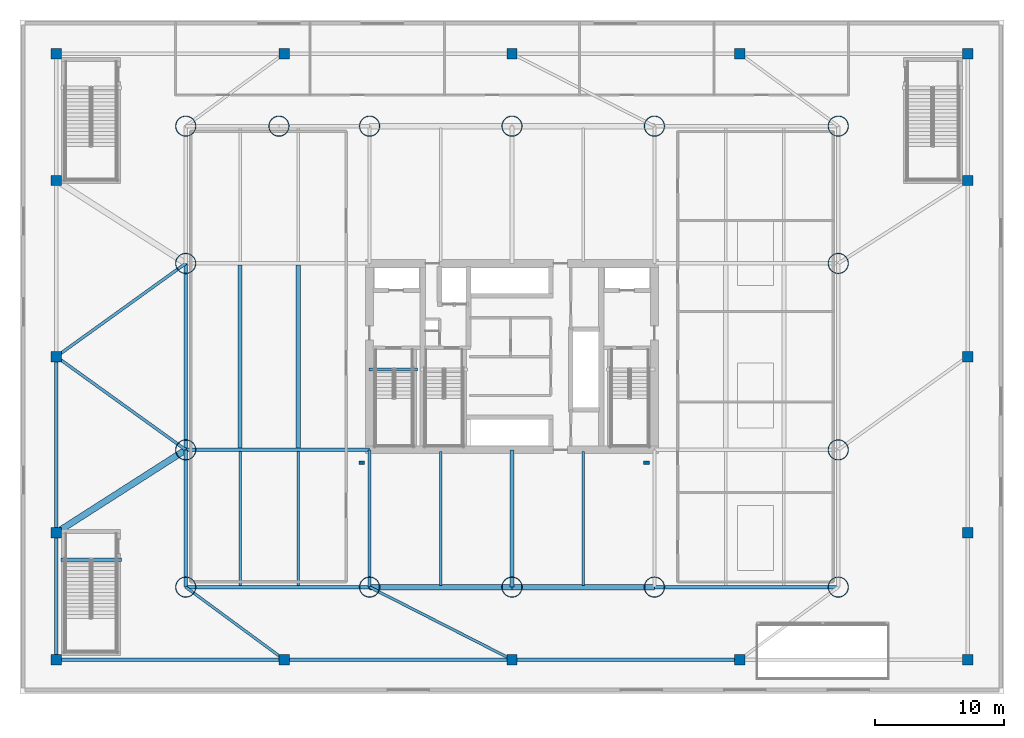
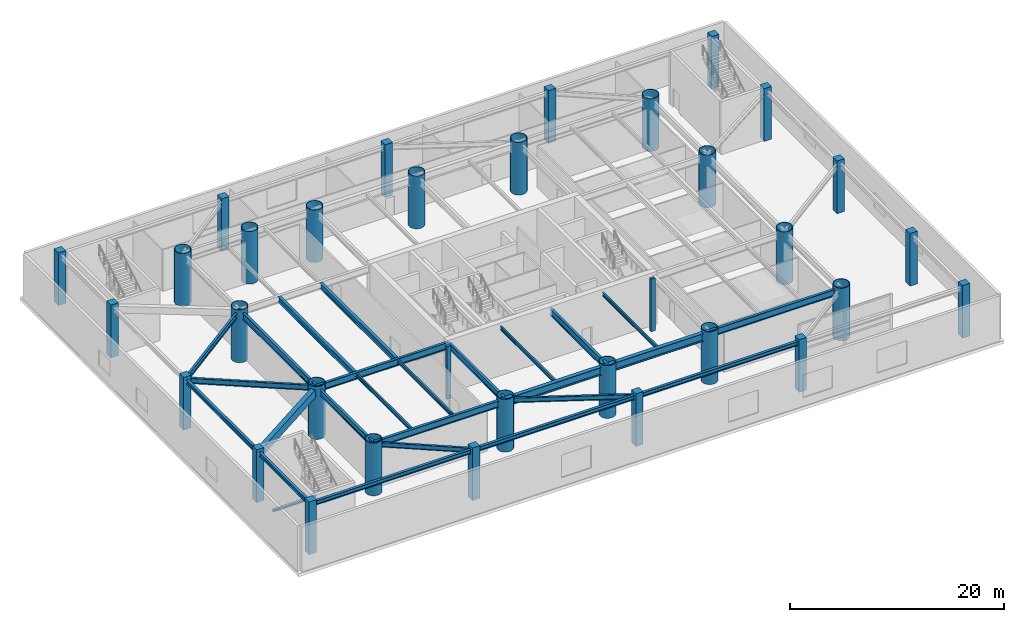
# One storey, part 1 of 17: 33 columns, 27 beams.
"""IFC4 building model written with IfcOpenShell, lengths in metres."""

from ifc_helpers import new_model, si_unit, direction, frame, origin, origin_2d, place, context, subcontext, project, spatial, rectangle, hollow_circle, i_section, extrude, material, material_profile, profile_set, type_object, element, save


model = new_model("IFC4")

# Units and contexts
model_context = context("Model", 3, precision=1e-05, world=origin(), true_north=direction((0.0, 1.0)))
body_context = subcontext(model_context, "Body", "Model", "MODEL_VIEW")
ifc_project = project(units=[si_unit("LENGTHUNIT", "METRE"), si_unit("AREAUNIT", "SQUARE_METRE"), si_unit("VOLUMEUNIT", "CUBIC_METRE"), si_unit("PLANEANGLEUNIT", "RADIAN"), si_unit("MASSUNIT", "GRAM", prefix="KILO")], contexts=[model_context])

# Site, building, storey
site_placement = place(None, origin())
site = spatial("IfcSite", under=ifc_project, at=site_placement, CompositionType="ELEMENT")
building_placement = place(site_placement, origin())
building = spatial("IfcBuilding", under=site, at=building_placement, Name="Bramvorn Convention Spire", CompositionType="ELEMENT")
storey_placement = place(building_placement, frame((0.0, 0.0, 24.0)))
storey = spatial("IfcBuildingStorey", under=building, at=storey_placement, Name="L04", CompositionType="ELEMENT", Elevation=24.0)

# Columns
ifc_material_1 = material(Name="Steel CSA G40.21 Grade 350 (350W)", Category="steel")
ifc_material_profile_1 = material_profile(ifc_material_1, hollow_circle(Radius=0.800048828125, WallThickness=0.06005859375, at=origin_2d()))
ifc_profile_set_1 = profile_set([ifc_material_profile_1], Name="Steel CSA G40.21 Grade 350 (350W) - CFT1600X60")
column_type_1 = type_object("IfcColumnType", Name="COL-CFT1600X60", PredefinedType="COLUMN", material=ifc_profile_set_1)
for number, where, z_axis, x_axis, name in (
    (1, (12.800048828125, 8.199951171875, 0.0), (0.0, 0.0, 1.0), (1.0, 0.0, 0.0), "L04 podium transfer mega-column PR01"),
    (2, (27.0, 8.199951171875, 0.0), (0.0, 0.0, 1.0), (1.0, 0.0, 0.0), "L04 podium transfer mega-column PR02"),
    (3, (38.0, 8.199951171875, 0.0), (0.0, 0.0, 1.0), (1.0, 0.0, 0.0), "L04 podium transfer mega-column PR13"),
    (4, (49.0, 8.199951171875, 0.0), (0.0, 0.0, 1.0), (1.0, 0.0, 0.0), "L04 podium transfer mega-column PR03"),
    (5, (63.199951171875, 8.199951171875, 0.0), (0.0, 0.0, 1.0), (1.0, 0.0, 0.0), "L04 podium transfer mega-column PR04"),
    (6, (12.800048828125, 18.800048828125, 0.0), (0.0, 0.0, 1.0), (1.0, 0.0, 0.0), "L04 podium transfer mega-column PR05"),
    (7, (63.199951171875, 18.800048828125, 0.0), (0.0, 0.0, 1.0), (1.0, 0.0, 0.0), "L04 podium transfer mega-column PR06"),
    (8, (12.800048828125, 33.199951171875, 0.0), (0.0, 0.0, 1.0), (1.0, 0.0, 0.0), "L04 podium transfer mega-column PR07"),
    (9, (63.199951171875, 33.199951171875, 0.0), (0.0, 0.0, 1.0), (1.0, 0.0, 0.0), "L04 podium transfer mega-column PR08"),
    (10, (12.800048828125, 43.800048828125, 0.0), (0.0, 0.0, 1.0), (1.0, 0.0, 0.0), "L04 podium transfer mega-column PR09"),
    (11, (20.0, 43.800048828125, 0.0), (0.0, 0.0, 1.0), (1.0, 0.0, 0.0), "L04 podium transfer mega-column PR15"),
    (12, (27.0, 43.800048828125, 0.0), (0.0, 0.0, 1.0), (1.0, 0.0, 0.0), "L04 podium transfer mega-column PR10"),
    (13, (38.0, 43.800048828125, 0.0), (0.0, 0.0, 1.0), (1.0, 0.0, 0.0), "L04 podium transfer mega-column PR14"),
    (14, (49.0, 43.800048828125, 0.0), (0.0, 0.0, 1.0), (1.0, 0.0, 0.0), "L04 podium transfer mega-column PR11"),
    (15, (63.199951171875, 43.800048828125, 0.0), (0.0, 0.0, 1.0), (1.0, 0.0, 0.0), "L04 podium transfer mega-column PR12"),
):
    element("IfcColumn", number, at=place(storey_placement, frame(where, z_axis=z_axis, x_axis=x_axis)), inside=storey, type_object=column_type_1, Name=name, PredefinedType="COLUMN", context=body_context, shape_type="SweptSolid", body=[
        extrude(hollow_circle(Radius=0.800048828125, WallThickness=0.06005859375, at=origin_2d()), origin(), (0.0, 0.0, 1.0), 6.0),
    ])
ifc_material_2 = material(Name="Concrete C40/50 Precast Limestone Pilaster", Category="masonry")
ifc_material_profile_2 = material_profile(ifc_material_2, rectangle(XDim=0.449951171875, YDim=0.300048828125, at=origin_2d()))
ifc_profile_set_2 = profile_set([ifc_material_profile_2], Name="Concrete C40/50 Precast Limestone Pilaster - PILASTER450X300")
column_type_2 = type_object("IfcColumnType", Name="COL-PILASTER-450", PredefinedType="PILASTER", material=ifc_profile_set_2)
for number, where, z_axis, x_axis, name in (
    (16, (26.39990234375, 17.800048828125, 0.0), (0.0, 0.0, 1.0), (1.0, 0.0, 0.0), "L04 Foyer architectural pilaster 1"),
    (17, (48.39990234375, 17.800048828125, 0.0), (0.0, 0.0, 1.0), (1.0, 0.0, 0.0), "L04 Foyer architectural pilaster 2"),
):
    element("IfcColumn", number, at=place(storey_placement, frame(where, z_axis=z_axis, x_axis=x_axis)), inside=storey, type_object=column_type_2, Name=name, PredefinedType="PILASTER", context=body_context, shape_type="SweptSolid", body=[
        extrude(rectangle(XDim=0.449951171875, YDim=0.300048828125, at=origin_2d()), origin(), (0.0, 0.0, 1.0), 6.0),
    ])
ifc_material_3 = material(Name="Concrete C60/70", Category="concrete")
ifc_material_profile_3 = material_profile(ifc_material_3, rectangle(XDim=0.800048828125, YDim=0.800048828125, at=origin_2d()))
ifc_profile_set_3 = profile_set([ifc_material_profile_3], Name="Concrete C60/70 - RC800X800")
column_type_3 = type_object("IfcColumnType", Name="COL-RC800X800", PredefinedType="COLUMN", material=ifc_profile_set_3)
for number, where, z_axis, x_axis, name in (
    (18, (2.800048828125, 2.60009765625, 0.0), (0.0, 0.0, 1.0), (1.0, 0.0, 0.0), "L04 podium perimeter column PC01"),
    (19, (2.800048828125, 12.39990234375, 0.0), (0.0, 0.0, 1.0), (1.0, 0.0, 0.0), "L04 podium perimeter column PC02"),
    (20, (2.800048828125, 26.0, 0.0), (0.0, 0.0, 1.0), (1.0, 0.0, 0.0), "L04 podium perimeter column PC03"),
    (21, (2.800048828125, 39.60009765625, 0.0), (0.0, 0.0, 1.0), (1.0, 0.0, 0.0), "L04 podium perimeter column PC04"),
    (22, (2.800048828125, 49.39990234375, 0.0), (0.0, 0.0, 1.0), (1.0, 0.0, 0.0), "L04 podium perimeter column PC05"),
    (23, (73.199951171875, 2.60009765625, 0.0), (0.0, 0.0, 1.0), (1.0, 0.0, 0.0), "L04 podium perimeter column PC06"),
    (24, (73.199951171875, 12.39990234375, 0.0), (0.0, 0.0, 1.0), (1.0, 0.0, 0.0), "L04 podium perimeter column PC07"),
    (25, (73.199951171875, 26.0, 0.0), (0.0, 0.0, 1.0), (1.0, 0.0, 0.0), "L04 podium perimeter column PC08"),
    (26, (73.199951171875, 39.60009765625, 0.0), (0.0, 0.0, 1.0), (1.0, 0.0, 0.0), "L04 podium perimeter column PC09"),
    (27, (73.199951171875, 49.39990234375, 0.0), (0.0, 0.0, 1.0), (1.0, 0.0, 0.0), "L04 podium perimeter column PC10"),
    (28, (20.39990234375, 2.60009765625, 0.0), (0.0, 0.0, 1.0), (1.0, 0.0, 0.0), "L04 podium perimeter column PC11"),
    (29, (38.0, 2.60009765625, 0.0), (0.0, 0.0, 1.0), (1.0, 0.0, 0.0), "L04 podium perimeter column PC12"),
    (30, (55.60009765625, 2.60009765625, 0.0), (0.0, 0.0, 1.0), (1.0, 0.0, 0.0), "L04 podium perimeter column PC13"),
    (31, (20.39990234375, 49.39990234375, 0.0), (0.0, 0.0, 1.0), (1.0, 0.0, 0.0), "L04 podium perimeter column PC14"),
    (32, (38.0, 49.39990234375, 0.0), (0.0, 0.0, 1.0), (1.0, 0.0, 0.0), "L04 podium perimeter column PC15"),
    (33, (55.60009765625, 49.39990234375, 0.0), (0.0, 0.0, 1.0), (1.0, 0.0, 0.0), "L04 podium perimeter column PC16"),
):
    element("IfcColumn", number, at=place(storey_placement, frame(where, z_axis=z_axis, x_axis=x_axis)), inside=storey, type_object=column_type_3, Name=name, PredefinedType="COLUMN", context=body_context, shape_type="SweptSolid", body=[
        extrude(rectangle(XDim=0.800048828125, YDim=0.800048828125, at=origin_2d()), origin(), (0.0, 0.0, 1.0), 6.0),
    ])

# Beams
ifc_material_4 = material(Name="Concrete C50/60", Category="concrete")
ifc_material_profile_4 = material_profile(ifc_material_4, rectangle(XDim=0.5, YDim=0.89990234375, at=origin_2d()))
ifc_profile_set_4 = profile_set([ifc_material_profile_4], Name="Concrete C50/60 - RC500X900")
beam_type_1 = type_object("IfcBeamType", Name="BM-RC500X900", PredefinedType="BEAM", material=ifc_profile_set_4)
beam_1_placement = place(storey_placement, frame((2.800048828125, 12.39990234375, 5.199951171875), z_axis=(0.842265798855, 0.539062449145, 0.0), x_axis=(-0.539062449145, 0.842265798855, 0.0)))
element("IfcBeam", 34, at=beam_1_placement, inside=storey, type_object=beam_type_1, Name="L04 reinforced concrete marshalling tie beam 1", PredefinedType="BEAM", context=body_context, shape_type="SweptSolid", body=[
    extrude(rectangle(XDim=0.5, YDim=0.89990234375, at=origin_2d()), origin(), (0.0, 0.0, 1.0), 11.872802734375),
])
ifc_material_profile_5 = material_profile(ifc_material_1, i_section(OverallWidth=0.25390625, OverallDepth=0.2529296875, WebThickness=0.008544921875, FlangeThickness=0.01416015625, FilletRadius=0.011962890625, at=origin_2d()))
ifc_profile_set_5 = profile_set([ifc_material_profile_5], Name="Steel CSA G40.21 Grade 350 (350W) - W250X73")
beam_type_2 = type_object("IfcBeamType", Name="BM-W250X73", PredefinedType="BEAM", material=ifc_profile_set_5)
beam_2_placement = place(storey_placement, frame((26.949951171875, 25.010009765625, -0.12646484375), z_axis=(1.0, 0.0, 0.0), x_axis=(0.0, 1.0, 0.0)))
element("IfcBeam", 35, at=beam_2_placement, inside=storey, type_object=beam_type_2, Name="L04 ST1 stair arrival header beam", PredefinedType="BEAM", context=body_context, shape_type="SweptSolid", body=[
    extrude(i_section(OverallWidth=0.25390625, OverallDepth=0.2529296875, WebThickness=0.008544921875, FlangeThickness=0.01416015625, FilletRadius=0.011962890625, at=origin_2d()), origin(), (0.0, 0.0, 1.0), 3.739990234375),
])
beam_3_placement = place(storey_placement, frame((3.14990234375, 10.31005859375, -0.12646484375), z_axis=(1.0, 0.0, 0.0), x_axis=(0.0, 1.0, 0.0)))
element("IfcBeam", 36, at=beam_3_placement, inside=storey, type_object=beam_type_2, Name="L04 ST4 stair arrival header beam", PredefinedType="BEAM", context=body_context, shape_type="SweptSolid", body=[
    extrude(i_section(OverallWidth=0.25390625, OverallDepth=0.2529296875, WebThickness=0.008544921875, FlangeThickness=0.01416015625, FilletRadius=0.011962890625, at=origin_2d()), origin(), (0.0, 0.0, 1.0), 4.68017578125),
])
ifc_material_profile_6 = material_profile(ifc_material_1, i_section(OverallWidth=0.180908203125, OverallDepth=0.4169921875, WebThickness=0.010986328125, FlangeThickness=0.018310546875, FilletRadius=0.01611328125, at=origin_2d()))
ifc_profile_set_6 = profile_set([ifc_material_profile_6], Name="Steel CSA G40.21 Grade 350 (350W) - W410X85")
beam_type_3 = type_object("IfcBeamType", Name="BM-W410X85", PredefinedType="JOIST", material=ifc_profile_set_6)
for number, where, z_axis, x_axis, name in (
    (37, (17.0, 8.340087890625, 5.44140625), (0.0, 1.0, 0.0), (-1.0, 0.0, 0.0), "L04 side hall joist S-1"),
    (38, (21.5, 8.340087890625, 5.44140625), (0.0, 1.0, 0.0), (-1.0, 0.0, 0.0), "L04 side hall joist S-2"),
    (39, (32.5, 8.340087890625, 5.44140625), (0.0, 1.0, 0.0), (-1.0, 0.0, 0.0), "L04 south hall composite joist 3"),
    (40, (43.5, 8.340087890625, 5.44140625), (0.0, 1.0, 0.0), (-1.0, 0.0, 0.0), "L04 south hall composite joist 4"),
):
    element("IfcBeam", number, at=place(storey_placement, frame(where, z_axis=z_axis, x_axis=x_axis)), inside=storey, type_object=beam_type_3, Name=name, PredefinedType="JOIST", context=body_context, shape_type="SweptSolid", body=[
        extrude(i_section(OverallWidth=0.180908203125, OverallDepth=0.4169921875, WebThickness=0.010986328125, FlangeThickness=0.018310546875, FilletRadius=0.01611328125, at=origin_2d()), origin(), (0.0, 0.0, 1.0), 10.31982421875),
    ])
ifc_material_profile_7 = material_profile(ifc_material_1, i_section(OverallWidth=0.283935546875, OverallDepth=0.47607421875, WebThickness=0.014892578125, FlangeThickness=0.02392578125, FilletRadius=0.01806640625, at=origin_2d()))
ifc_profile_set_7 = profile_set([ifc_material_profile_7], Name="Steel CSA G40.21 Grade 350 (350W) - W460X158")
beam_type_4 = type_object("IfcBeamType", Name="BM-W460X158", PredefinedType="SPANDREL", material=ifc_profile_set_7)
beam_4_placement = place(storey_placement, frame((2.800048828125, 2.60009765625, 5.412109375), z_axis=(1.0, 0.0, 0.0), x_axis=(0.0, 1.0, 0.0)))
element("IfcBeam", 41, at=beam_4_placement, inside=storey, type_object=beam_type_4, Name="L04 podium spandrel beam 01", PredefinedType="SPANDREL", context=body_context, shape_type="SweptSolid", body=[
    extrude(i_section(OverallWidth=0.283935546875, OverallDepth=0.47607421875, WebThickness=0.014892578125, FlangeThickness=0.02392578125, FilletRadius=0.01806640625, at=origin_2d()), origin(), (0.0, 0.0, 1.0), 17.599853515625),
])
for number, where, z_axis, x_axis, name in (
    (42, (20.39990234375, 2.60009765625, 5.412109375), (1.0, 0.0, 0.0), (0.0, 1.0, 0.0), "L04 podium spandrel beam 02"),
    (43, (38.0, 2.60009765625, 5.412109375), (1.0, 0.0, 0.0), (0.0, 1.0, 0.0), "L04 podium spandrel beam 03"),
):
    element("IfcBeam", number, at=place(storey_placement, frame(where, z_axis=z_axis, x_axis=x_axis)), inside=storey, type_object=beam_type_4, Name=name, PredefinedType="SPANDREL", context=body_context, shape_type="SweptSolid", body=[
        extrude(i_section(OverallWidth=0.283935546875, OverallDepth=0.47607421875, WebThickness=0.014892578125, FlangeThickness=0.02392578125, FilletRadius=0.01806640625, at=origin_2d()), origin(), (0.0, 0.0, 1.0), 17.60009765625),
    ])
beam_5_placement = place(storey_placement, frame((2.800048828125, 26.0, 5.412109375), z_axis=(0.0, -1.0, 0.0), x_axis=(1.0, 0.0, 0.0)))
element("IfcBeam", 44, at=beam_5_placement, inside=storey, type_object=beam_type_4, Name="L04 podium spandrel beam 15", PredefinedType="SPANDREL", context=body_context, shape_type="SweptSolid", body=[
    extrude(i_section(OverallWidth=0.283935546875, OverallDepth=0.47607421875, WebThickness=0.014892578125, FlangeThickness=0.02392578125, FilletRadius=0.01806640625, at=origin_2d()), origin(), (0.0, 0.0, 1.0), 13.60009765625),
])
beam_6_placement = place(storey_placement, frame((2.800048828125, 12.39990234375, 5.412109375), z_axis=(0.0, -1.0, 0.0), x_axis=(1.0, 0.0, 0.0)))
element("IfcBeam", 45, at=beam_6_placement, inside=storey, type_object=beam_type_4, Name="L04 podium spandrel beam 16", PredefinedType="SPANDREL", context=body_context, shape_type="SweptSolid", body=[
    extrude(i_section(OverallWidth=0.283935546875, OverallDepth=0.47607421875, WebThickness=0.014892578125, FlangeThickness=0.02392578125, FilletRadius=0.01806640625, at=origin_2d()), origin(), (0.0, 0.0, 1.0), 9.7998046875),
])
ifc_material_profile_8 = material_profile(ifc_material_1, i_section(OverallWidth=0.2119140625, OverallDepth=0.5439453125, WebThickness=0.01318359375, FlangeThickness=0.021240234375, FilletRadius=0.01904296875, at=origin_2d()))
ifc_profile_set_8 = profile_set([ifc_material_profile_8], Name="Steel CSA G40.21 Grade 350 (350W) - W530X123")
beam_type_5 = type_object("IfcBeamType", Name="BM-W530X123", PredefinedType="BEAM", material=ifc_profile_set_8)
beam_7_placement = place(storey_placement, frame((20.39990234375, 2.60009765625, 5.3779296875), z_axis=(-0.805057787445, 0.593196391488, 0.0), x_axis=(-0.593196391488, -0.805057787445, 0.0)))
element("IfcBeam", 46, at=beam_7_placement, inside=storey, type_object=beam_type_5, Name="L04 podium primary girder 28", PredefinedType="BEAM", context=body_context, shape_type="SweptSolid", body=[
    extrude(i_section(OverallWidth=0.2119140625, OverallDepth=0.5439453125, WebThickness=0.01318359375, FlangeThickness=0.021240234375, FilletRadius=0.01904296875, at=origin_2d()), origin(), (0.0, 0.0, 1.0), 9.440185546875),
])
beam_8_placement = place(storey_placement, frame((38.0, 2.60009765625, 5.3779296875), z_axis=(-0.891167913636, 0.453673615835, 0.0), x_axis=(-0.453673615835, -0.891167913636, 0.0)))
element("IfcBeam", 47, at=beam_8_placement, inside=storey, type_object=beam_type_5, Name="L04 podium primary girder 29", PredefinedType="BEAM", context=body_context, shape_type="SweptSolid", body=[
    extrude(i_section(OverallWidth=0.2119140625, OverallDepth=0.5439453125, WebThickness=0.01318359375, FlangeThickness=0.021240234375, FilletRadius=0.01904296875, at=origin_2d()), origin(), (0.0, 0.0, 1.0), 12.34326171875),
])
ifc_material_profile_9 = material_profile(ifc_material_1, i_section(OverallWidth=0.22998046875, OverallDepth=0.616943359375, WebThickness=0.01318359375, FlangeThickness=0.022216796875, FilletRadius=0.02001953125, at=origin_2d()))
ifc_profile_set_9 = profile_set([ifc_material_profile_9], Name="Steel CSA G40.21 Grade 350 (350W) - W610X140")
beam_type_6 = type_object("IfcBeamType", Name="BM-W610X140", PredefinedType="BEAM", material=ifc_profile_set_9)
for number, where, z_axis, x_axis, name in (
    (48, (2.800048828125, 26.0, 5.341552734375), (0.811536220436, -0.584302116135, 0.0), (0.584302116135, 0.811536220436, 0.0), "L04 podium primary girder 26"),
    (49, (2.800048828125, 26.0, 5.341552734375), (0.811536220436, 0.584302116135, 0.0), (-0.584302116135, 0.811536220436, 0.0), "L04 podium primary girder 27"),
):
    element("IfcBeam", number, at=place(storey_placement, frame(where, z_axis=z_axis, x_axis=x_axis)), inside=storey, type_object=beam_type_6, Name=name, PredefinedType="BEAM", context=body_context, shape_type="SweptSolid", body=[
        extrude(i_section(OverallWidth=0.22998046875, OverallDepth=0.616943359375, WebThickness=0.01318359375, FlangeThickness=0.022216796875, FilletRadius=0.02001953125, at=origin_2d()), origin(), (0.0, 0.0, 1.0), 12.322265625),
    ])
ifc_material_profile_10 = material_profile(ifc_material_1, i_section(OverallWidth=0.327880859375, OverallDepth=0.6279296875, WebThickness=0.0166015625, FlangeThickness=0.027587890625, FilletRadius=0.02001953125, at=origin_2d()))
ifc_profile_set_10 = profile_set([ifc_material_profile_10], Name="Steel CSA G40.21 Grade 350 (350W) - W610X217")
beam_type_7 = type_object("IfcBeamType", Name="BM-W610X217", PredefinedType="BEAM", material=ifc_profile_set_10)
for number, where, z_axis, x_axis, name in (
    (50, (17.0, 18.93994140625, 5.3359375), (0.0, 1.0, 0.0), (-1.0, 0.0, 0.0), "L04 main exhibition clear-span joist M-1"),
    (51, (21.5, 18.93994140625, 5.3359375), (0.0, 1.0, 0.0), (-1.0, 0.0, 0.0), "L04 main exhibition clear-span joist M-2"),
):
    element("IfcBeam", number, at=place(storey_placement, frame(where, z_axis=z_axis, x_axis=x_axis)), inside=storey, type_object=beam_type_7, Name=name, PredefinedType="BEAM", context=body_context, shape_type="SweptSolid", body=[
        extrude(i_section(OverallWidth=0.327880859375, OverallDepth=0.6279296875, WebThickness=0.0166015625, FlangeThickness=0.027587890625, FilletRadius=0.02001953125, at=origin_2d()), origin(), (0.0, 0.0, 1.0), 14.1201171875),
    ])
ifc_material_profile_11 = material_profile(ifc_material_1, i_section(OverallWidth=0.256103515625, OverallDepth=0.693115234375, WebThickness=0.014404296875, FlangeThickness=0.023681640625, FilletRadius=0.02197265625, at=origin_2d()))
ifc_profile_set_11 = profile_set([ifc_material_profile_11], Name="Steel CSA G40.21 Grade 350 (350W) - W690X170")
beam_type_8 = type_object("IfcBeamType", Name="BM-W690X170", PredefinedType="BEAM", material=ifc_profile_set_11)
for number, where, z_axis, x_axis, name in (
    (52, (12.800048828125, 8.199951171875, 5.303466796875), (0.0, 1.0, 0.0), (-1.0, 0.0, 0.0), "L04 podium primary girder 12"),
    (53, (27.0, 8.199951171875, 5.303466796875), (0.0, 1.0, 0.0), (-1.0, 0.0, 0.0), "L04 podium primary girder 22"),
):
    element("IfcBeam", number, at=place(storey_placement, frame(where, z_axis=z_axis, x_axis=x_axis)), inside=storey, type_object=beam_type_8, Name=name, PredefinedType="BEAM", context=body_context, shape_type="SweptSolid", body=[
        extrude(i_section(OverallWidth=0.256103515625, OverallDepth=0.693115234375, WebThickness=0.014404296875, FlangeThickness=0.023681640625, FilletRadius=0.02197265625, at=origin_2d()), origin(), (0.0, 0.0, 1.0), 10.60009765625),
    ])
ifc_material_profile_12 = material_profile(ifc_material_1, i_section(OverallWidth=0.27099609375, OverallDepth=0.76806640625, WebThickness=0.0166015625, FlangeThickness=0.02685546875, FilletRadius=0.02197265625, at=origin_2d()))
ifc_profile_set_12 = profile_set([ifc_material_profile_12], Name="Steel CSA G40.21 Grade 350 (350W) - W760X220")
beam_type_9 = type_object("IfcBeamType", Name="BM-W760X220", PredefinedType="BEAM", material=ifc_profile_set_12)
for number, where, z_axis, x_axis, name in (
    (54, (12.800048828125, 8.199951171875, 5.26611328125), (1.0, 0.0, 0.0), (0.0, 1.0, 0.0), "L04 podium primary girder 01"),
    (55, (49.0, 8.199951171875, 5.26611328125), (1.0, 0.0, 0.0), (0.0, 1.0, 0.0), "L04 podium primary girder 04"),
):
    element("IfcBeam", number, at=place(storey_placement, frame(where, z_axis=z_axis, x_axis=x_axis)), inside=storey, type_object=beam_type_9, Name=name, PredefinedType="BEAM", context=body_context, shape_type="SweptSolid", body=[
        extrude(i_section(OverallWidth=0.27099609375, OverallDepth=0.76806640625, WebThickness=0.0166015625, FlangeThickness=0.02685546875, FilletRadius=0.02197265625, at=origin_2d()), origin(), (0.0, 0.0, 1.0), 14.199951171875),
    ])
beam_9_placement = place(storey_placement, frame((38.0, 8.199951171875, 5.26611328125), z_axis=(0.0, 1.0, 0.0), x_axis=(-1.0, 0.0, 0.0)))
element("IfcBeam", 56, at=beam_9_placement, inside=storey, type_object=beam_type_9, Name="L04 podium primary girder 09", PredefinedType="BEAM", context=body_context, shape_type="SweptSolid", body=[
    extrude(i_section(OverallWidth=0.27099609375, OverallDepth=0.76806640625, WebThickness=0.0166015625, FlangeThickness=0.02685546875, FilletRadius=0.02197265625, at=origin_2d()), origin(), (0.0, 0.0, 1.0), 10.60009765625),
])
beam_10_placement = place(storey_placement, frame((12.800048828125, 18.800048828125, 5.26611328125), z_axis=(0.0, 1.0, 0.0), x_axis=(-1.0, 0.0, 0.0)))
element("IfcBeam", 57, at=beam_10_placement, inside=storey, type_object=beam_type_9, Name="L04 podium primary girder 13", PredefinedType="BEAM", context=body_context, shape_type="SweptSolid", body=[
    extrude(i_section(OverallWidth=0.27099609375, OverallDepth=0.76806640625, WebThickness=0.0166015625, FlangeThickness=0.02685546875, FilletRadius=0.02197265625, at=origin_2d()), origin(), (0.0, 0.0, 1.0), 14.39990234375),
])
beam_11_placement = place(storey_placement, frame((12.800048828125, 18.800048828125, 5.26611328125), z_axis=(1.0, 0.0, 0.0), x_axis=(0.0, 1.0, 0.0)))
element("IfcBeam", 58, at=beam_11_placement, inside=storey, type_object=beam_type_9, Name="L04 podium primary girder 18", PredefinedType="BEAM", context=body_context, shape_type="SweptSolid", body=[
    extrude(i_section(OverallWidth=0.27099609375, OverallDepth=0.76806640625, WebThickness=0.0166015625, FlangeThickness=0.02685546875, FilletRadius=0.02197265625, at=origin_2d()), origin(), (0.0, 0.0, 1.0), 14.199951171875),
])
ifc_material_profile_13 = material_profile(ifc_material_1, i_section(OverallWidth=0.41796875, OverallDepth=0.912109375, WebThickness=0.019287109375, FlangeThickness=0.031982421875, FilletRadius=0.02392578125, at=origin_2d()))
ifc_profile_set_13 = profile_set([ifc_material_profile_13], Name="Steel CSA G40.21 Grade 350 (350W) - W920X342")
beam_type_10 = type_object("IfcBeamType", Name="BM-W920X342", PredefinedType="BEAM", material=ifc_profile_set_13)
for number, where, z_axis, x_axis, name in (
    (59, (27.0, 8.199951171875, 5.194091796875), (1.0, 0.0, 0.0), (0.0, 1.0, 0.0), "L04 podium primary girder 02"),
    (60, (38.0, 8.199951171875, 5.194091796875), (1.0, 0.0, 0.0), (0.0, 1.0, 0.0), "L04 podium primary girder 03"),
):
    element("IfcBeam", number, at=place(storey_placement, frame(where, z_axis=z_axis, x_axis=x_axis)), inside=storey, type_object=beam_type_10, Name=name, PredefinedType="BEAM", context=body_context, shape_type="SweptSolid", body=[
        extrude(i_section(OverallWidth=0.41796875, OverallDepth=0.912109375, WebThickness=0.019287109375, FlangeThickness=0.031982421875, FilletRadius=0.02392578125, at=origin_2d()), origin(), (0.0, 0.0, 1.0), 11.0),
    ])

save(model, "model.ifc")
